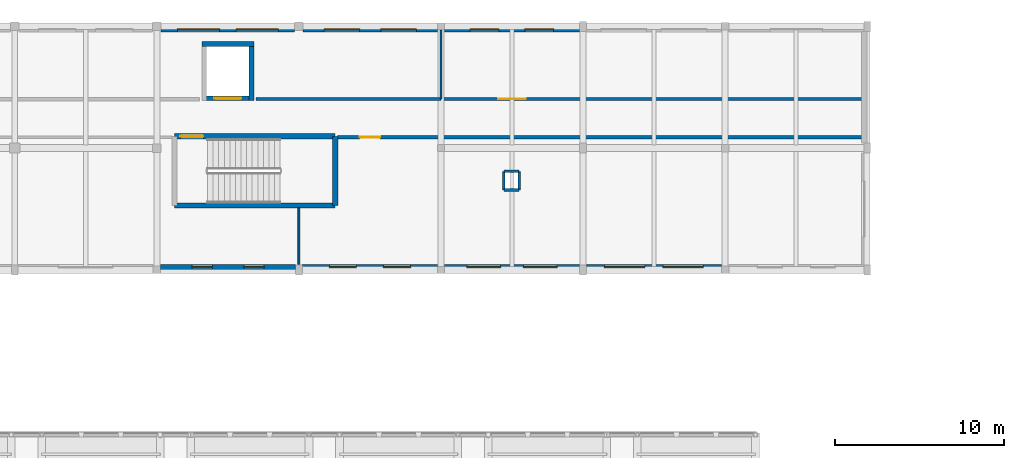
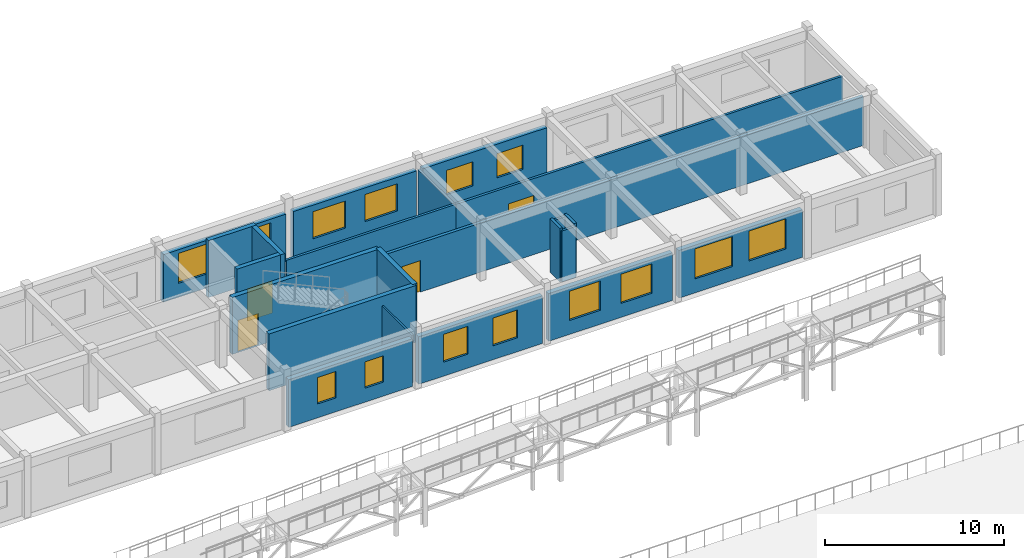
# One storey, part 32 of 41: 22 walls, 14 windows, 4 doors, 18 openings.
"""IFC4 building model written with IfcOpenShell, lengths in metres."""

from ifc_helpers import new_model, si_unit, direction, frame, frame_2d, origin, place, context, subcontext, project, spatial, rectangle, extrude, material, layer, layer_set, type_object, element, fill, save


model = new_model("IFC4")

# Units and contexts
model_context = context("Model", 3, precision=1e-05, world=origin(), true_north=direction((0.0, 1.0)))
body_context = subcontext(model_context, "Body", "Model", "MODEL_VIEW")
ifc_project = project(units=[si_unit("LENGTHUNIT", "METRE"), si_unit("AREAUNIT", "SQUARE_METRE"), si_unit("VOLUMEUNIT", "CUBIC_METRE"), si_unit("PLANEANGLEUNIT", "RADIAN"), si_unit("MASSUNIT", "GRAM", prefix="KILO")], contexts=[model_context])

# Site, building, storey
site_placement = place(None, origin())
site = spatial("IfcSite", under=ifc_project, at=site_placement, CompositionType="ELEMENT")
building_placement = place(site_placement, origin())
building = spatial("IfcBuilding", under=site, at=building_placement, Name="Malvenik Polytechnic", CompositionType="ELEMENT")
storey_placement = place(building_placement, frame((0.0, 0.0, 17.699951171875)))
storey = spatial("IfcBuildingStorey", under=building, at=storey_placement, Name="L04", CompositionType="ELEMENT", Elevation=17.699951171875)

# Wall, opening, door
ifc_material_1 = material(Name="Concrete C35/45", Category="concrete")
ifc_layer_1 = layer(ifc_material_1, 0.280029296875)
ifc_layer_set_1 = layer_set([ifc_layer_1], Name="Concrete C35/45")
wall_type_1 = type_object("IfcWallType", Name="ARC-CW-S280", PredefinedType="SHEAR", material=ifc_layer_set_1)
wall_1_placement = place(storey_placement, frame((98.139892578125, 125.35009765625, 0.0), z_axis=(0.0, 0.0, 1.0), x_axis=(-1.0, 0.0, 0.0)))
wall_1 = element("IfcWall", 1, at=wall_1_placement, inside=storey, type_object=wall_type_1, Name="Lift Shaft Shear Wall LG-01 L04 -Y", PredefinedType="SHEAR", context=body_context, shape_type="SweptSolid", body=[
    extrude(rectangle(XDim=3.079833984375, YDim=0.280029296875, at=frame_2d((1.5400390625, 0.0))), origin(), (0.0, 0.0, 1.0), 3.880126953125),
])
opening_1_placement = place(wall_1_placement, frame((0.739990234375, 0.0, 0.0)))
opening_1 = element("IfcOpeningElement", 2, at=opening_1_placement, cuts=wall_1, Name="Opening LD-03", PredefinedType="OPENING", context=body_context, shape_type="SweptSolid", body=[
    extrude(rectangle(XDim=1.60009765625, YDim=2.199951171875, at=frame_2d((0.800048828125, 1.10009765625))), frame((0.0, 0.14990234375, 0.0), z_axis=(0.0, -1.0, 0.0), x_axis=(1.0, 0.0, 0.0)), (0.0, 0.0, 1.0), 0.300048828125),
])
ifc_material_2 = material(Name="Stainless steel fire-rated sliding lift landing door", Category="steel")
door_type_1 = type_object("IfcDoorType", Name="ARC-LDR-LD-03", OperationType="NOTDEFINED", PredefinedType="DOOR", material=ifc_material_2)
door_1_placement = place(opening_1_placement, origin())
door_1 = element("IfcDoor", 3, at=door_1_placement, inside=storey, type_object=door_type_1, Name="Lift Sliding Landing Door LG-01 L04", OperationType="DOUBLE_DOOR_SLIDING", OverallHeight=2.199951171875, OverallWidth=1.60009765625, PredefinedType="DOOR", context=body_context, shape_type="SweptSolid", body=[
    extrude(rectangle(XDim=1.60009765625, YDim=2.199951171875, at=frame_2d((0.800048828125, 1.10009765625))), frame((0.0, 0.02490234375, 0.0), z_axis=(0.0, -1.0, 0.0), x_axis=(1.0, 0.0, 0.0)), (0.0, 0.0, 1.0), 0.050048828125),
])
fill(opening_1, door_1)

# Walls
wall_2_placement = place(storey_placement, frame((95.06005859375, 128.550048828125, 0.0), z_axis=(0.0, 0.0, 1.0), x_axis=(1.0, 0.0, 0.0)))
element("IfcWall", 4, at=wall_2_placement, inside=storey, type_object=wall_type_1, Name="Lift Shaft Shear Wall LG-01 L04 +Y", PredefinedType="SHEAR", context=body_context, shape_type="SweptSolid", body=[
    extrude(rectangle(XDim=3.079833984375, YDim=0.280029296875, at=frame_2d((1.5400390625, 0.0))), origin(), (0.0, 0.0, 1.0), 3.880126953125),
])
wall_3_placement = place(storey_placement, frame((98.0, 128.68994140625, 0.0), z_axis=(0.0, 0.0, 1.0), x_axis=(0.0, -1.0, 0.0)))
element("IfcWall", 5, at=wall_3_placement, inside=storey, type_object=wall_type_1, Name="Lift Shaft Shear Wall LG-01 L04 +X", PredefinedType="SHEAR", context=body_context, shape_type="SweptSolid", body=[
    extrude(rectangle(XDim=3.47998046875, YDim=0.280029296875, at=frame_2d((1.739990234375, 0.0))), origin(), (0.0, 0.0, 1.0), 3.880126953125),
])

# Wall, opening, door
ifc_layer_2 = layer(ifc_material_1, 0.300048828125)
ifc_layer_set_2 = layer_set([ifc_layer_2], Name="Concrete C35/45")
wall_type_2 = type_object("IfcWallType", Name="ARC-CW-S300", PredefinedType="SHEAR", material=ifc_layer_set_2)
wall_4_placement = place(storey_placement, frame((93.449951171875, 123.10009765625, 0.0), z_axis=(0.0, 0.0, 1.0), x_axis=(1.0, 0.0, 0.0)))
wall_4 = element("IfcWall", 6, at=wall_4_placement, inside=storey, type_object=wall_type_2, Name="Stair Core Shear Wall ST-03 L04 RGHT", PredefinedType="SHEAR", context=body_context, shape_type="SweptSolid", body=[
    extrude(rectangle(XDim=9.5, YDim=0.300048828125, at=frame_2d((4.75, 0.0))), origin(), (0.0, 0.0, 1.0), 3.880126953125),
])
opening_2_placement = place(wall_4_placement, frame((0.35009765625, 0.0, 0.0)))
opening_2 = element("IfcOpeningElement", 7, at=opening_2_placement, cuts=wall_4, Name="Opening SD-01", PredefinedType="OPENING", context=body_context, shape_type="SweptSolid", body=[
    extrude(rectangle(XDim=1.35009765625, YDim=2.199951171875, at=frame_2d((0.675048828125, 1.10009765625))), frame((0.0, 0.16015625, 0.0), z_axis=(0.0, -1.0, 0.0), x_axis=(1.0, 0.0, 0.0)), (0.0, 0.0, 1.0), 0.320068359375),
])
ifc_material_3 = material(Name="Fire-rated steel stair enclosure door", Category="steel")
door_type_2 = type_object("IfcDoorType", Name="ARC-IDR-SD-01", OperationType="NOTDEFINED", PredefinedType="DOOR", material=ifc_material_3)
door_2_placement = place(opening_2_placement, origin())
door_2 = element("IfcDoor", 8, at=door_2_placement, inside=storey, type_object=door_type_2, Name="Fire Stair Door ST-03 L04", OperationType="SINGLE_SWING_LEFT", OverallHeight=2.199951171875, OverallWidth=1.35009765625, PredefinedType="DOOR", context=body_context, shape_type="SweptSolid", body=[
    extrude(rectangle(XDim=1.35009765625, YDim=2.199951171875, at=frame_2d((0.675048828125, 1.10009765625))), frame((0.0, 0.02490234375, 0.0), z_axis=(0.0, -1.0, 0.0), x_axis=(1.0, 0.0, 0.0)), (0.0, 0.0, 1.0), 0.050048828125),
])
fill(opening_2, door_2)

# Walls
wall_5_placement = place(storey_placement, frame((102.949951171875, 123.10009765625, 0.0), z_axis=(0.0, 0.0, 1.0), x_axis=(0.0, -1.0, 0.0)))
element("IfcWall", 9, at=wall_5_placement, inside=storey, type_object=wall_type_2, Name="Stair Core Shear Wall ST-03 L04 FAR", PredefinedType="SHEAR", context=body_context, shape_type="SweptSolid", body=[
    extrude(rectangle(XDim=4.10009765625, YDim=0.300048828125, at=frame_2d((2.050048828125, 0.0))), origin(), (0.0, 0.0, 1.0), 3.880126953125),
])
wall_6_placement = place(storey_placement, frame((102.949951171875, 119.0, 0.0), z_axis=(0.0, 0.0, 1.0), x_axis=(-1.0, 0.0, 0.0)))
element("IfcWall", 10, at=wall_6_placement, inside=storey, type_object=wall_type_2, Name="Stair Core Shear Wall ST-03 L04 LEFT", PredefinedType="SHEAR", context=body_context, shape_type="SweptSolid", body=[
    extrude(rectangle(XDim=9.5, YDim=0.300048828125, at=frame_2d((4.75, 0.0))), origin(), (0.0, 0.0, 1.0), 3.880126953125),
])

# Wall, openings, windows
ifc_material_4 = material(Name="Brick masonry M15", Category="masonry")
ifc_layer_3 = layer(ifc_material_4, 0.31005859375)
ifc_layer_set_3 = layer_set([ifc_layer_3], Name="Brick masonry M15")
wall_type_3 = type_object("IfcWallType", Name="ARC-EW-310", PredefinedType="SOLIDWALL", material=ifc_layer_set_3)
wall_7_placement = place(storey_placement, frame((92.64794921875, 129.429931640625, 0.0), z_axis=(0.0, 0.0, 1.0), x_axis=(1.0, 0.0, 0.0)))
wall_7 = element("IfcWall", 11, at=wall_7_placement, inside=storey, type_object=wall_type_3, Name="External Facade Wall EW-03 L04 #429", PredefinedType="SOLIDWALL", context=body_context, shape_type="SweptSolid", body=[
    extrude(rectangle(XDim=7.904052734375, YDim=0.31005859375, at=frame_2d((3.9521484375, 0.0))), origin(), (0.0, 0.0, 1.0), 3.25),
])
opening_3_placement = place(wall_7_placement, frame((0.968017578125, 0.0, 0.949951171875)))
opening_3 = element("IfcOpeningElement", 12, at=opening_3_placement, cuts=wall_7, Name="Opening W-21", PredefinedType="OPENING", context=body_context, shape_type="SweptSolid", body=[
    extrude(rectangle(XDim=2.5, YDim=2.050048828125, at=frame_2d((1.25, 1.02490234375))), frame((0.0, 0.1650390625, 0.0), z_axis=(0.0, -1.0, 0.0), x_axis=(1.0, 0.0, 0.0)), (0.0, 0.0, 1.0), 0.330078125),
])
opening_4_placement = place(wall_7_placement, frame((4.43603515625, 0.0, 0.949951171875)))
opening_4 = element("IfcOpeningElement", 13, at=opening_4_placement, cuts=wall_7, Name="Opening W-21", PredefinedType="OPENING", context=body_context, shape_type="SweptSolid", body=[
    extrude(rectangle(XDim=2.5, YDim=2.050048828125, at=frame_2d((1.25, 1.02490234375))), frame((0.0, 0.1650390625, 0.0), z_axis=(0.0, -1.0, 0.0), x_axis=(1.0, 0.0, 0.0)), (0.0, 0.0, 1.0), 0.330078125),
])
ifc_material_5 = material(Name="Thermally broken aluminium frame with low-E double glazing", Category="aluminium")
window_type_1 = type_object("IfcWindowType", Name="ARC-WIN-W-21", PartitioningType="SINGLE_PANEL", PredefinedType="WINDOW", material=ifc_material_5)
window_1_placement = place(opening_3_placement, origin())
window_1 = element("IfcWindow", 14, at=window_1_placement, inside=storey, type_object=window_type_1, Name="Punched Window W-21 L04 #443", OverallHeight=2.050048828125, OverallWidth=2.5, PartitioningType="SINGLE_PANEL", PredefinedType="WINDOW", context=body_context, shape_type="SweptSolid", body=[
    extrude(rectangle(XDim=2.5, YDim=2.050048828125, at=frame_2d((1.25, 1.02490234375))), frame((0.0, 0.030029296875, 0.0), z_axis=(0.0, -1.0, 0.0), x_axis=(1.0, 0.0, 0.0)), (0.0, 0.0, 1.0), 0.06005859375),
])
fill(opening_3, window_1)
window_2_placement = place(opening_4_placement, origin())
window_2 = element("IfcWindow", 15, at=window_2_placement, inside=storey, type_object=window_type_1, Name="Punched Window W-21 L04 #444", OverallHeight=2.050048828125, OverallWidth=2.5, PartitioningType="SINGLE_PANEL", PredefinedType="WINDOW", context=body_context, shape_type="SweptSolid", body=[
    extrude(rectangle(XDim=2.5, YDim=2.050048828125, at=frame_2d((1.25, 1.02490234375))), frame((0.0, 0.030029296875, 0.0), z_axis=(0.0, -1.0, 0.0), x_axis=(1.0, 0.0, 0.0)), (0.0, 0.0, 1.0), 0.06005859375),
])
fill(opening_4, window_2)

wall_8_placement = place(storey_placement, frame((101.048095703125, 129.429931640625, 0.0), z_axis=(0.0, 0.0, 1.0), x_axis=(1.0, 0.0, 0.0)))
wall_8 = element("IfcWall", 16, at=wall_8_placement, inside=storey, type_object=wall_type_3, Name="External Facade Wall EW-03 L04 #430", PredefinedType="SOLIDWALL", context=body_context, shape_type="SweptSolid", body=[
    extrude(rectangle(XDim=7.953857421875, YDim=0.31005859375, at=frame_2d((3.97705078125, 0.0))), origin(), (0.0, 0.0, 1.0), 3.25),
])
opening_5_placement = place(wall_8_placement, frame((1.251220703125, 0.0, 0.949951171875)))
opening_5 = element("IfcOpeningElement", 17, at=opening_5_placement, cuts=wall_8, Name="Opening W-23", PredefinedType="OPENING", context=body_context, shape_type="SweptSolid", body=[
    extrude(rectangle(XDim=2.10009765625, YDim=1.85009765625, at=frame_2d((1.050048828125, 0.925048828125))), frame((0.0, 0.1650390625, 0.0), z_axis=(0.0, -1.0, 0.0), x_axis=(1.0, 0.0, 0.0)), (0.0, 0.0, 1.0), 0.330078125),
])
opening_6_placement = place(wall_8_placement, frame((4.6025390625, 0.0, 0.949951171875)))
opening_6 = element("IfcOpeningElement", 18, at=opening_6_placement, cuts=wall_8, Name="Opening W-23", PredefinedType="OPENING", context=body_context, shape_type="SweptSolid", body=[
    extrude(rectangle(XDim=2.10009765625, YDim=1.85009765625, at=frame_2d((1.050048828125, 0.925048828125))), frame((0.0, 0.1650390625, 0.0), z_axis=(0.0, -1.0, 0.0), x_axis=(1.0, 0.0, 0.0)), (0.0, 0.0, 1.0), 0.330078125),
])
window_type_2 = type_object("IfcWindowType", Name="ARC-WIN-W-23", PartitioningType="SINGLE_PANEL", PredefinedType="WINDOW", material=ifc_material_5)
window_3_placement = place(opening_5_placement, origin())
window_3 = element("IfcWindow", 19, at=window_3_placement, inside=storey, type_object=window_type_2, Name="Punched Window W-23 L04 #445", OverallHeight=1.85009765625, OverallWidth=2.10009765625, PartitioningType="SINGLE_PANEL", PredefinedType="WINDOW", context=body_context, shape_type="SweptSolid", body=[
    extrude(rectangle(XDim=2.10009765625, YDim=1.85009765625, at=frame_2d((1.050048828125, 0.925048828125))), frame((0.0, 0.030029296875, 0.0), z_axis=(0.0, -1.0, 0.0), x_axis=(1.0, 0.0, 0.0)), (0.0, 0.0, 1.0), 0.06005859375),
])
fill(opening_5, window_3)
window_4_placement = place(opening_6_placement, origin())
window_4 = element("IfcWindow", 20, at=window_4_placement, inside=storey, type_object=window_type_2, Name="Punched Window W-23 L04 #446", OverallHeight=1.85009765625, OverallWidth=2.10009765625, PartitioningType="SINGLE_PANEL", PredefinedType="WINDOW", context=body_context, shape_type="SweptSolid", body=[
    extrude(rectangle(XDim=2.10009765625, YDim=1.85009765625, at=frame_2d((1.050048828125, 0.925048828125))), frame((0.0, 0.030029296875, 0.0), z_axis=(0.0, -1.0, 0.0), x_axis=(1.0, 0.0, 0.0)), (0.0, 0.0, 1.0), 0.06005859375),
])
fill(opening_6, window_4)

wall_9_placement = place(storey_placement, frame((109.39794921875, 129.429931640625, 0.0), z_axis=(0.0, 0.0, 1.0), x_axis=(1.0, 0.0, 0.0)))
wall_9 = element("IfcWall", 21, at=wall_9_placement, inside=storey, type_object=wall_type_3, Name="External Facade Wall EW-03 L04 #431", PredefinedType="SOLIDWALL", context=body_context, shape_type="SweptSolid", body=[
    extrude(rectangle(XDim=8.004150390625, YDim=0.31005859375, at=frame_2d((4.001953125, 0.0))), origin(), (0.0, 0.0, 1.0), 3.25),
])
opening_7_placement = place(wall_9_placement, frame((1.53466796875, 0.0, 0.949951171875)))
opening_7 = element("IfcOpeningElement", 22, at=opening_7_placement, cuts=wall_9, Name="Opening W-25", PredefinedType="OPENING", context=body_context, shape_type="SweptSolid", body=[
    extrude(rectangle(XDim=1.699951171875, YDim=1.64990234375, at=frame_2d((0.85009765625, 0.824951171875))), frame((0.0, 0.1650390625, 0.0), z_axis=(0.0, -1.0, 0.0), x_axis=(1.0, 0.0, 0.0)), (0.0, 0.0, 1.0), 0.330078125),
])
opening_8_placement = place(wall_9_placement, frame((4.769287109375, 0.0, 0.949951171875)))
opening_8 = element("IfcOpeningElement", 23, at=opening_8_placement, cuts=wall_9, Name="Opening W-25", PredefinedType="OPENING", context=body_context, shape_type="SweptSolid", body=[
    extrude(rectangle(XDim=1.699951171875, YDim=1.64990234375, at=frame_2d((0.85009765625, 0.824951171875))), frame((0.0, 0.1650390625, 0.0), z_axis=(0.0, -1.0, 0.0), x_axis=(1.0, 0.0, 0.0)), (0.0, 0.0, 1.0), 0.330078125),
])
window_type_3 = type_object("IfcWindowType", Name="ARC-WIN-W-25", PartitioningType="SINGLE_PANEL", PredefinedType="WINDOW", material=ifc_material_5)
window_5_placement = place(opening_7_placement, origin())
window_5 = element("IfcWindow", 24, at=window_5_placement, inside=storey, type_object=window_type_3, Name="Punched Window W-25 L04 #447", OverallHeight=1.64990234375, OverallWidth=1.699951171875, PartitioningType="SINGLE_PANEL", PredefinedType="WINDOW", context=body_context, shape_type="SweptSolid", body=[
    extrude(rectangle(XDim=1.699951171875, YDim=1.64990234375, at=frame_2d((0.85009765625, 0.824951171875))), frame((0.0, 0.030029296875, 0.0), z_axis=(0.0, -1.0, 0.0), x_axis=(1.0, 0.0, 0.0)), (0.0, 0.0, 1.0), 0.06005859375),
])
fill(opening_7, window_5)
window_6_placement = place(opening_8_placement, origin())
window_6 = element("IfcWindow", 25, at=window_6_placement, inside=storey, type_object=window_type_3, Name="Punched Window W-25 L04 #448", OverallHeight=1.64990234375, OverallWidth=1.699951171875, PartitioningType="SINGLE_PANEL", PredefinedType="WINDOW", context=body_context, shape_type="SweptSolid", body=[
    extrude(rectangle(XDim=1.699951171875, YDim=1.64990234375, at=frame_2d((0.85009765625, 0.824951171875))), frame((0.0, 0.030029296875, 0.0), z_axis=(0.0, -1.0, 0.0), x_axis=(1.0, 0.0, 0.0)), (0.0, 0.0, 1.0), 0.06005859375),
])
fill(opening_8, window_6)

wall_10_placement = place(storey_placement, frame((125.777099609375, 115.3701171875, 0.0), z_axis=(0.0, 0.0, 1.0), x_axis=(-1.0, 0.0, 0.0)))
wall_10 = element("IfcWall", 26, at=wall_10_placement, inside=storey, type_object=wall_type_3, Name="External Facade Wall EW-03 L04 #437", PredefinedType="SOLIDWALL", context=body_context, shape_type="SweptSolid", body=[
    extrude(rectangle(XDim=7.97900390625, YDim=0.31005859375, at=frame_2d((3.989501953125, 0.0))), origin(), (0.0, 0.0, 1.0), 3.25),
])
opening_9_placement = place(wall_10_placement, frame((1.059814453125, 0.0, 0.949951171875)))
opening_9 = element("IfcOpeningElement", 27, at=opening_9_placement, cuts=wall_10, Name="Opening W-01", PredefinedType="OPENING", context=body_context, shape_type="SweptSolid", body=[
    extrude(rectangle(XDim=2.39990234375, YDim=2.050048828125, at=frame_2d((1.199951171875, 1.02490234375))), frame((0.0, 0.1650390625, 0.0), z_axis=(0.0, -1.0, 0.0), x_axis=(1.0, 0.0, 0.0)), (0.0, 0.0, 1.0), 0.330078125),
])
opening_10_placement = place(wall_10_placement, frame((4.519287109375, 0.0, 0.949951171875)))
opening_10 = element("IfcOpeningElement", 28, at=opening_10_placement, cuts=wall_10, Name="Opening W-01", PredefinedType="OPENING", context=body_context, shape_type="SweptSolid", body=[
    extrude(rectangle(XDim=2.39990234375, YDim=2.050048828125, at=frame_2d((1.199951171875, 1.02490234375))), frame((0.0, 0.1650390625, 0.0), z_axis=(0.0, -1.0, 0.0), x_axis=(1.0, 0.0, 0.0)), (0.0, 0.0, 1.0), 0.330078125),
])
window_type_4 = type_object("IfcWindowType", Name="ARC-WIN-W-01", PartitioningType="SINGLE_PANEL", PredefinedType="WINDOW", material=ifc_material_5)
window_7_placement = place(opening_9_placement, origin())
window_7 = element("IfcWindow", 29, at=window_7_placement, inside=storey, type_object=window_type_4, Name="Punched Window W-01 L04 #455", OverallHeight=2.050048828125, OverallWidth=2.39990234375, PartitioningType="SINGLE_PANEL", PredefinedType="WINDOW", context=body_context, shape_type="SweptSolid", body=[
    extrude(rectangle(XDim=2.39990234375, YDim=2.050048828125, at=frame_2d((1.199951171875, 1.02490234375))), frame((0.0, 0.030029296875, 0.0), z_axis=(0.0, -1.0, 0.0), x_axis=(1.0, 0.0, 0.0)), (0.0, 0.0, 1.0), 0.06005859375),
])
fill(opening_9, window_7)
window_8_placement = place(opening_10_placement, origin())
window_8 = element("IfcWindow", 30, at=window_8_placement, inside=storey, type_object=window_type_4, Name="Punched Window W-01 L04 #456", OverallHeight=2.050048828125, OverallWidth=2.39990234375, PartitioningType="SINGLE_PANEL", PredefinedType="WINDOW", context=body_context, shape_type="SweptSolid", body=[
    extrude(rectangle(XDim=2.39990234375, YDim=2.050048828125, at=frame_2d((1.199951171875, 1.02490234375))), frame((0.0, 0.030029296875, 0.0), z_axis=(0.0, -1.0, 0.0), x_axis=(1.0, 0.0, 0.0)), (0.0, 0.0, 1.0), 0.06005859375),
])
fill(opening_10, window_8)

wall_11_placement = place(storey_placement, frame((117.402099609375, 115.3701171875, 0.0), z_axis=(0.0, 0.0, 1.0), x_axis=(-1.0, 0.0, 0.0)))
wall_11 = element("IfcWall", 31, at=wall_11_placement, inside=storey, type_object=wall_type_3, Name="External Facade Wall EW-03 L04 #438", PredefinedType="SOLIDWALL", context=body_context, shape_type="SweptSolid", body=[
    extrude(rectangle(XDim=8.004150390625, YDim=0.31005859375, at=frame_2d((4.001953125, 0.0))), origin(), (0.0, 0.0, 1.0), 3.25),
])
opening_11_placement = place(wall_11_placement, frame((1.334716796875, 0.0, 0.949951171875)))
opening_11 = element("IfcOpeningElement", 32, at=opening_11_placement, cuts=wall_11, Name="Opening W-03", PredefinedType="OPENING", context=body_context, shape_type="SweptSolid", body=[
    extrude(rectangle(XDim=2.0, YDim=2.0, at=frame_2d((1.0, 1.0))), frame((0.0, 0.1650390625, 0.0), z_axis=(0.0, -1.0, 0.0), x_axis=(1.0, 0.0, 0.0)), (0.0, 0.0, 1.0), 0.330078125),
])
opening_12_placement = place(wall_11_placement, frame((4.66943359375, 0.0, 0.949951171875)))
opening_12 = element("IfcOpeningElement", 33, at=opening_12_placement, cuts=wall_11, Name="Opening W-03", PredefinedType="OPENING", context=body_context, shape_type="SweptSolid", body=[
    extrude(rectangle(XDim=2.0, YDim=2.0, at=frame_2d((1.0, 1.0))), frame((0.0, 0.1650390625, 0.0), z_axis=(0.0, -1.0, 0.0), x_axis=(1.0, 0.0, 0.0)), (0.0, 0.0, 1.0), 0.330078125),
])
window_type_5 = type_object("IfcWindowType", Name="ARC-WIN-W-03", PartitioningType="SINGLE_PANEL", PredefinedType="WINDOW", material=ifc_material_5)
window_9_placement = place(opening_11_placement, origin())
window_9 = element("IfcWindow", 34, at=window_9_placement, inside=storey, type_object=window_type_5, Name="Punched Window W-03 L04 #457", OverallHeight=2.0, OverallWidth=2.0, PartitioningType="SINGLE_PANEL", PredefinedType="WINDOW", context=body_context, shape_type="SweptSolid", body=[
    extrude(rectangle(XDim=2.0, YDim=2.0, at=frame_2d((1.0, 1.0))), frame((0.0, 0.030029296875, 0.0), z_axis=(0.0, -1.0, 0.0), x_axis=(1.0, 0.0, 0.0)), (0.0, 0.0, 1.0), 0.06005859375),
])
fill(opening_11, window_9)
window_10_placement = place(opening_12_placement, origin())
window_10 = element("IfcWindow", 35, at=window_10_placement, inside=storey, type_object=window_type_5, Name="Punched Window W-03 L04 #458", OverallHeight=2.0, OverallWidth=2.0, PartitioningType="SINGLE_PANEL", PredefinedType="WINDOW", context=body_context, shape_type="SweptSolid", body=[
    extrude(rectangle(XDim=2.0, YDim=2.0, at=frame_2d((1.0, 1.0))), frame((0.0, 0.030029296875, 0.0), z_axis=(0.0, -1.0, 0.0), x_axis=(1.0, 0.0, 0.0)), (0.0, 0.0, 1.0), 0.06005859375),
])
fill(opening_12, window_10)

wall_12_placement = place(storey_placement, frame((109.001953125, 115.3701171875, 0.0), z_axis=(0.0, 0.0, 1.0), x_axis=(-1.0, 0.0, 0.0)))
wall_12 = element("IfcWall", 36, at=wall_12_placement, inside=storey, type_object=wall_type_3, Name="External Facade Wall EW-03 L04 #439", PredefinedType="SOLIDWALL", context=body_context, shape_type="SweptSolid", body=[
    extrude(rectangle(XDim=8.00390625, YDim=0.31005859375, at=frame_2d((4.001953125, 0.0))), origin(), (0.0, 0.0, 1.0), 3.25),
])
opening_13_placement = place(wall_12_placement, frame((1.601318359375, 0.0, 0.949951171875)))
opening_13 = element("IfcOpeningElement", 37, at=opening_13_placement, cuts=wall_12, Name="Opening W-05", PredefinedType="OPENING", context=body_context, shape_type="SweptSolid", body=[
    extrude(rectangle(XDim=1.60009765625, YDim=1.89990234375, at=frame_2d((0.800048828125, 0.949951171875))), frame((0.0, 0.1650390625, 0.0), z_axis=(0.0, -1.0, 0.0), x_axis=(1.0, 0.0, 0.0)), (0.0, 0.0, 1.0), 0.330078125),
])
opening_14_placement = place(wall_12_placement, frame((4.802490234375, 0.0, 0.949951171875)))
opening_14 = element("IfcOpeningElement", 38, at=opening_14_placement, cuts=wall_12, Name="Opening W-05", PredefinedType="OPENING", context=body_context, shape_type="SweptSolid", body=[
    extrude(rectangle(XDim=1.60009765625, YDim=1.89990234375, at=frame_2d((0.800048828125, 0.949951171875))), frame((0.0, 0.1650390625, 0.0), z_axis=(0.0, -1.0, 0.0), x_axis=(1.0, 0.0, 0.0)), (0.0, 0.0, 1.0), 0.330078125),
])
window_type_6 = type_object("IfcWindowType", Name="ARC-WIN-W-05", PartitioningType="SINGLE_PANEL", PredefinedType="WINDOW", material=ifc_material_5)
window_11_placement = place(opening_13_placement, origin())
window_11 = element("IfcWindow", 39, at=window_11_placement, inside=storey, type_object=window_type_6, Name="Punched Window W-05 L04 #459", OverallHeight=1.89990234375, OverallWidth=1.60009765625, PartitioningType="SINGLE_PANEL", PredefinedType="WINDOW", context=body_context, shape_type="SweptSolid", body=[
    extrude(rectangle(XDim=1.60009765625, YDim=1.89990234375, at=frame_2d((0.800048828125, 0.949951171875))), frame((0.0, 0.030029296875, 0.0), z_axis=(0.0, -1.0, 0.0), x_axis=(1.0, 0.0, 0.0)), (0.0, 0.0, 1.0), 0.06005859375),
])
fill(opening_13, window_11)
window_12_placement = place(opening_14_placement, origin())
window_12 = element("IfcWindow", 40, at=window_12_placement, inside=storey, type_object=window_type_6, Name="Punched Window W-05 L04 #460", OverallHeight=1.89990234375, OverallWidth=1.60009765625, PartitioningType="SINGLE_PANEL", PredefinedType="WINDOW", context=body_context, shape_type="SweptSolid", body=[
    extrude(rectangle(XDim=1.60009765625, YDim=1.89990234375, at=frame_2d((0.800048828125, 0.949951171875))), frame((0.0, 0.030029296875, 0.0), z_axis=(0.0, -1.0, 0.0), x_axis=(1.0, 0.0, 0.0)), (0.0, 0.0, 1.0), 0.06005859375),
])
fill(opening_14, window_12)

wall_13_placement = place(storey_placement, frame((100.60205078125, 115.3701171875, 0.0), z_axis=(0.0, 0.0, 1.0), x_axis=(-1.0, 0.0, 0.0)))
wall_13 = element("IfcWall", 41, at=wall_13_placement, inside=storey, type_object=wall_type_3, Name="External Facade Wall EW-03 L04 #440", PredefinedType="SOLIDWALL", context=body_context, shape_type="SweptSolid", body=[
    extrude(rectangle(XDim=7.97900390625, YDim=0.31005859375, at=frame_2d((3.989501953125, 0.0))), origin(), (0.0, 0.0, 1.0), 3.25),
])
opening_15_placement = place(wall_13_placement, frame((1.859619140625, 0.0, 0.949951171875)))
opening_15 = element("IfcOpeningElement", 42, at=opening_15_placement, cuts=wall_13, Name="Opening W-07", PredefinedType="OPENING", context=body_context, shape_type="SweptSolid", body=[
    extrude(rectangle(XDim=1.199951171875, YDim=1.800048828125, at=frame_2d((0.60009765625, 0.89990234375))), frame((0.0, 0.1650390625, 0.0), z_axis=(0.0, -1.0, 0.0), x_axis=(1.0, 0.0, 0.0)), (0.0, 0.0, 1.0), 0.330078125),
])
opening_16_placement = place(wall_13_placement, frame((4.91943359375, 0.0, 0.949951171875)))
opening_16 = element("IfcOpeningElement", 43, at=opening_16_placement, cuts=wall_13, Name="Opening W-07", PredefinedType="OPENING", context=body_context, shape_type="SweptSolid", body=[
    extrude(rectangle(XDim=1.199951171875, YDim=1.800048828125, at=frame_2d((0.60009765625, 0.89990234375))), frame((0.0, 0.1650390625, 0.0), z_axis=(0.0, -1.0, 0.0), x_axis=(1.0, 0.0, 0.0)), (0.0, 0.0, 1.0), 0.330078125),
])
window_type_7 = type_object("IfcWindowType", Name="ARC-WIN-W-07", PartitioningType="SINGLE_PANEL", PredefinedType="WINDOW", material=ifc_material_5)
window_13_placement = place(opening_15_placement, origin())
window_13 = element("IfcWindow", 44, at=window_13_placement, inside=storey, type_object=window_type_7, Name="Punched Window W-07 L04 #461", OverallHeight=1.800048828125, OverallWidth=1.199951171875, PartitioningType="SINGLE_PANEL", PredefinedType="WINDOW", context=body_context, shape_type="SweptSolid", body=[
    extrude(rectangle(XDim=1.199951171875, YDim=1.800048828125, at=frame_2d((0.60009765625, 0.89990234375))), frame((0.0, 0.030029296875, 0.0), z_axis=(0.0, -1.0, 0.0), x_axis=(1.0, 0.0, 0.0)), (0.0, 0.0, 1.0), 0.06005859375),
])
fill(opening_15, window_13)
window_14_placement = place(opening_16_placement, origin())
window_14 = element("IfcWindow", 45, at=window_14_placement, inside=storey, type_object=window_type_7, Name="Punched Window W-07 L04 #462", OverallHeight=1.800048828125, OverallWidth=1.199951171875, PartitioningType="SINGLE_PANEL", PredefinedType="WINDOW", context=body_context, shape_type="SweptSolid", body=[
    extrude(rectangle(XDim=1.199951171875, YDim=1.800048828125, at=frame_2d((0.60009765625, 0.89990234375))), frame((0.0, 0.030029296875, 0.0), z_axis=(0.0, -1.0, 0.0), x_axis=(1.0, 0.0, 0.0)), (0.0, 0.0, 1.0), 0.06005859375),
])
fill(opening_16, window_14)

# Wall, opening, door
ifc_material_6 = material(Name="Calcium silicate fire-rated blockwork 200mm", Category="masonry")
ifc_layer_4 = layer(ifc_material_6, 0.199951171875)
ifc_layer_set_4 = layer_set([ifc_layer_4], Name="Calcium silicate fire-rated blockwork 200mm")
wall_type_4 = type_object("IfcWallType", Name="ARC-FW-200", PredefinedType="SOLIDWALL", material=ifc_layer_set_4)
wall_14_placement = place(storey_placement, frame((134.179931640625, 123.050048828125, 0.0), z_axis=(0.0, 0.0, 1.0), x_axis=(-1.0, 0.0, 0.0)))
wall_14 = element("IfcWall", 46, at=wall_14_placement, inside=storey, type_object=wall_type_4, Name="Interior Partition FW-02 L04 #378", PredefinedType="SOLIDWALL", context=body_context, shape_type="SweptSolid", body=[
    extrude(rectangle(XDim=31.08984375, YDim=0.199951171875, at=frame_2d((15.544921875, 0.0))), origin(), (0.0, 0.0, 1.0), 3.35498046875),
])
opening_17_placement = place(wall_14_placement, frame((28.580078125, 0.0, 0.0)))
opening_17 = element("IfcOpeningElement", 47, at=opening_17_placement, cuts=wall_14, Name="Opening FD-10", PredefinedType="OPENING", context=body_context, shape_type="SweptSolid", body=[
    extrude(rectangle(XDim=1.199951171875, YDim=2.14990234375, at=frame_2d((0.60009765625, 1.074951171875))), frame((0.0, 0.10986328125, 0.0), z_axis=(0.0, -1.0, 0.0), x_axis=(1.0, 0.0, 0.0)), (0.0, 0.0, 1.0), 0.219970703125),
])
ifc_material_7 = material(Name="Fire-rated laboratory corridor door", Category="steel")
door_type_3 = type_object("IfcDoorType", Name="ARC-IDR-FD-10", OperationType="NOTDEFINED", PredefinedType="DOOR", material=ifc_material_7)
door_3_placement = place(opening_17_placement, origin())
door_3 = element("IfcDoor", 48, at=door_3_placement, inside=storey, type_object=door_type_3, Name="Interior Door FD-10 L04 #159", OperationType="SINGLE_SWING_RIGHT", OverallHeight=2.14990234375, OverallWidth=1.199951171875, PredefinedType="DOOR", context=body_context, shape_type="SweptSolid", body=[
    extrude(rectangle(XDim=1.199951171875, YDim=2.14990234375, at=frame_2d((0.60009765625, 1.074951171875))), frame((0.0, 0.02490234375, 0.0), z_axis=(0.0, -1.0, 0.0), x_axis=(1.0, 0.0, 0.0)), (0.0, 0.0, 1.0), 0.050048828125),
])
fill(opening_17, door_3)

# Walls
ifc_material_8 = material(Name="Lightweight gypsum partition 110mm", Category="gypsum")
ifc_layer_5 = layer(ifc_material_8, 0.110107421875)
ifc_layer_set_5 = layer_set([ifc_layer_5], Name="Lightweight gypsum partition 110mm")
wall_type_5 = type_object("IfcWallType", Name="ARC-PW-110", PredefinedType="PARTITIONING", material=ifc_layer_set_5)
wall_15_placement = place(storey_placement, frame((100.800048828125, 115.52001953125, 0.0), z_axis=(0.0, 0.0, 1.0), x_axis=(0.0, 1.0, 0.0)))
element("IfcWall", 49, at=wall_15_placement, inside=storey, type_object=wall_type_5, Name="Interior Partition PW-04I L04 #377", PredefinedType="PARTITIONING", context=body_context, shape_type="SweptSolid", body=[
    extrude(rectangle(XDim=3.340087890625, YDim=0.110107421875, at=frame_2d((1.669921875, 0.0))), origin(), (0.0, 0.0, 1.0), 3.2451171875),
])
ifc_material_9 = material(Name="Acoustic metal-stud gypsum partition 140mm", Category="gypsum")
ifc_layer_6 = layer(ifc_material_9, 0.139892578125)
ifc_layer_set_6 = layer_set([ifc_layer_6], Name="Acoustic metal-stud gypsum partition 140mm")
wall_type_6 = type_object("IfcWallType", Name="ARC-PW-140", PredefinedType="PARTITIONING", material=ifc_layer_set_6)
wall_16_placement = place(storey_placement, frame((109.199951171875, 125.300048828125, 0.0), z_axis=(0.0, 0.0, 1.0), x_axis=(0.0, 1.0, 0.0)))
element("IfcWall", 50, at=wall_16_placement, inside=storey, type_object=wall_type_6, Name="Interior Partition PW-02I L04 #360", PredefinedType="PARTITIONING", context=body_context, shape_type="SweptSolid", body=[
    extrude(rectangle(XDim=4.079833984375, YDim=0.139892578125, at=frame_2d((2.0400390625, 0.0))), origin(), (0.0, 0.0, 1.0), 3.2451171875),
])
ifc_material_10 = material(Name="Double-stud acoustic gypsum board partition 160mm", Category="gypsum")
ifc_layer_7 = layer(ifc_material_10, 0.159912109375)
ifc_layer_set_7 = layer_set([ifc_layer_7], Name="Double-stud acoustic gypsum board partition 160mm")
wall_type_7 = type_object("IfcWallType", Name="ARC-PW-160", PredefinedType="PARTITIONING", material=ifc_layer_set_7)
for number, where, z_axis, x_axis, name in (
    (51, (112.919921875, 119.919921875, 0.0), (0.0, 0.0, 1.0), (1.0, 0.0, 0.0), "Riser Shaft Enclosure L04 #48S"),
    (52, (113.830078125, 121.030029296875, 0.0), (0.0, 0.0, 1.0), (-1.0, 0.0, 0.0), "Riser Shaft Enclosure L04 #48N"),
):
    element("IfcWall", number, at=place(storey_placement, frame(where, z_axis=z_axis, x_axis=x_axis)), inside=storey, type_object=wall_type_7, Name=name, PredefinedType="PARTITIONING", context=body_context, shape_type="SweptSolid", body=[
        extrude(rectangle(XDim=0.91015625, YDim=0.159912109375, at=frame_2d((0.455078125, 0.0))), origin(), (0.0, 0.0, 1.0), 3.485107421875),
    ])
for number, where, z_axis, x_axis, name in (
    (53, (112.919921875, 121.030029296875, 0.0), (0.0, 0.0, 1.0), (0.0, -1.0, 0.0), "Riser Shaft Enclosure L04 #48W"),
    (54, (113.830078125, 119.919921875, 0.0), (0.0, 0.0, 1.0), (0.0, 1.0, 0.0), "Riser Shaft Enclosure L04 #48E"),
):
    element("IfcWall", number, at=place(storey_placement, frame(where, z_axis=z_axis, x_axis=x_axis)), inside=storey, type_object=wall_type_7, Name=name, PredefinedType="PARTITIONING", context=body_context, shape_type="SweptSolid", body=[
        extrude(rectangle(XDim=1.110107421875, YDim=0.159912109375, at=frame_2d((0.55517578125, 0.0))), origin(), (0.0, 0.0, 1.0), 3.650146484375),
    ])
wall_17_placement = place(storey_placement, frame((98.27001953125, 125.300048828125, 0.0), z_axis=(0.0, 0.0, 1.0), x_axis=(1.0, 0.0, 0.0)))
element("IfcWall", 55, at=wall_17_placement, inside=storey, type_object=wall_type_7, Name="Interior Partition PW-01I L04 #359", PredefinedType="PARTITIONING", context=body_context, shape_type="SweptSolid", body=[
    extrude(rectangle(XDim=10.929931640625, YDim=0.159912109375, at=frame_2d((5.46484375, 0.0))), origin(), (0.0, 0.0, 1.0), 3.35498046875),
])

# Wall, opening, door
wall_18_placement = place(storey_placement, frame((109.199951171875, 125.300048828125, 0.0), z_axis=(0.0, 0.0, 1.0), x_axis=(1.0, 0.0, 0.0)))
wall_18 = element("IfcWall", 56, at=wall_18_placement, inside=storey, type_object=wall_type_7, Name="Interior Partition PW-01I L04 #361", PredefinedType="PARTITIONING", context=body_context, shape_type="SweptSolid", body=[
    extrude(rectangle(XDim=24.97998046875, YDim=0.159912109375, at=frame_2d((12.489990234375, 0.0))), origin(), (0.0, 0.0, 1.0), 3.35498046875),
])
opening_18_placement = place(wall_18_placement, frame((3.375, 0.0, 0.0)))
opening_18 = element("IfcOpeningElement", 57, at=opening_18_placement, cuts=wall_18, Name="Opening FD-03", PredefinedType="OPENING", context=body_context, shape_type="SweptSolid", body=[
    extrude(rectangle(XDim=1.64990234375, YDim=2.199951171875, at=frame_2d((0.824951171875, 1.10009765625))), frame((0.0, 0.08984375, 0.0), z_axis=(0.0, -1.0, 0.0), x_axis=(1.0, 0.0, 0.0)), (0.0, 0.0, 1.0), 0.179931640625),
])
ifc_material_11 = material(Name="Fire-rated double-leaf laboratory door", Category="steel")
door_type_4 = type_object("IfcDoorType", Name="ARC-IDR-FD-03", OperationType="NOTDEFINED", PredefinedType="DOOR", material=ifc_material_11)
door_4_placement = place(opening_18_placement, origin())
door_4 = element("IfcDoor", 58, at=door_4_placement, inside=storey, type_object=door_type_4, Name="Interior Door FD-03 L04 #153", OperationType="DOUBLE_DOOR_SINGLE_SWING", OverallHeight=2.199951171875, OverallWidth=1.64990234375, PredefinedType="DOOR", context=body_context, shape_type="SweptSolid", body=[
    extrude(rectangle(XDim=1.64990234375, YDim=2.199951171875, at=frame_2d((0.824951171875, 1.10009765625))), frame((0.0, 0.02490234375, 0.0), z_axis=(0.0, -1.0, 0.0), x_axis=(1.0, 0.0, 0.0)), (0.0, 0.0, 1.0), 0.050048828125),
])
fill(opening_18, door_4)

save(model, "model.ifc")
